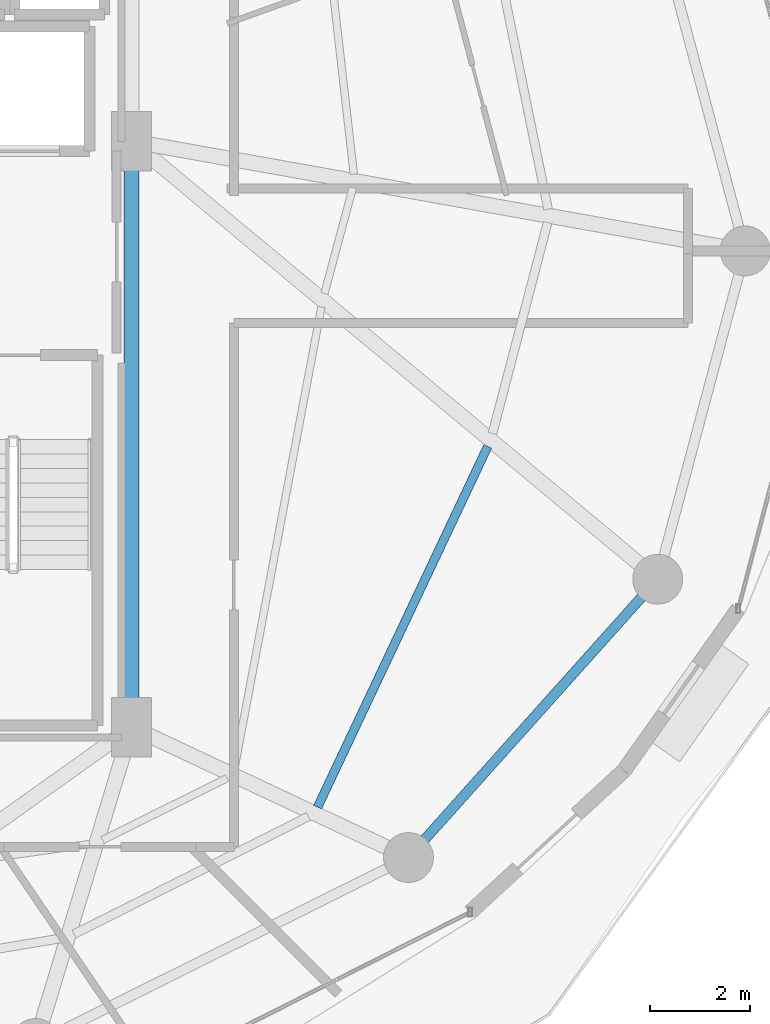
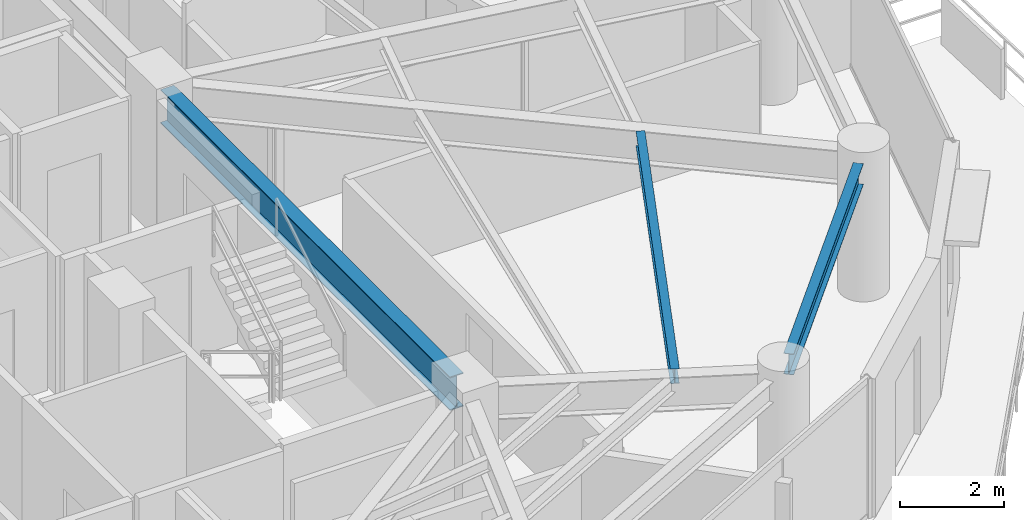
# One storey, part 13 of 31: 3 beams.
"""IFC4 building model written with IfcOpenShell, lengths in metres."""

from ifc_helpers import new_model, si_unit, direction, frame, origin, origin_2d, place, context, subcontext, project, spatial, i_section, extrude, material, material_profile, profile_set, type_object, element, save


model = new_model("IFC4")

# Units and contexts
model_context = context("Model", 3, precision=1e-05, world=origin(), true_north=direction((0.0, 1.0)))
body_context = subcontext(model_context, "Body", "Model", "MODEL_VIEW")
ifc_project = project(units=[si_unit("LENGTHUNIT", "METRE"), si_unit("AREAUNIT", "SQUARE_METRE"), si_unit("VOLUMEUNIT", "CUBIC_METRE"), si_unit("PLANEANGLEUNIT", "RADIAN"), si_unit("MASSUNIT", "GRAM", prefix="KILO")], contexts=[model_context])

# Site, building, storey
site_placement = place(None, origin())
site = spatial("IfcSite", under=ifc_project, at=site_placement, CompositionType="ELEMENT")
building_placement = place(site_placement, origin())
building = spatial("IfcBuilding", under=site, at=building_placement, Name="Vorneva Point Tower", CompositionType="ELEMENT")
storey_placement = place(building_placement, frame((0.0, 0.0, 129.10009765625)))
storey = spatial("IfcBuildingStorey", under=building, at=storey_placement, Name="L34", CompositionType="ELEMENT", Elevation=129.10009765625)

# Beams
ifc_material = material(Name="Steel S355", Category="steel")
ifc_material_profile_1 = material_profile(ifc_material, i_section(OverallWidth=0.300048828125, OverallDepth=0.7880859375, WebThickness=0.014404296875, FlangeThickness=0.02197265625, at=origin_2d()), Name="80Sh1")
ifc_profile_set_1 = profile_set([ifc_material_profile_1], Name="Steel S355")
beam_type_1 = type_object("IfcBeamType", Name="BM-GRD-80Sh1", PredefinedType="USERDEFINED", material=ifc_profile_set_1)
beam_1_placement = place(storey_placement, frame((48.75, 16.77001953125, 2.845947265625), z_axis=(0.0, 1.0, 0.0), x_axis=(-1.0, 0.0, 0.0)))
element("IfcBeam", 1, at=beam_1_placement, inside=storey, type_object=beam_type_1, Name="L34 Core Tie Girder CT3", ObjectType="GIRDER", PredefinedType="USERDEFINED", context=body_context, shape_type="SweptSolid", body=[
    extrude(i_section(OverallWidth=0.300048828125, OverallDepth=0.7880859375, WebThickness=0.014404296875, FlangeThickness=0.02197265625, at=origin_2d()), origin(), (0.0, 0.0, 1.0), 11.10986328125),
])
ifc_material_profile_2 = material_profile(ifc_material, i_section(OverallWidth=0.174072265625, OverallDepth=0.345947265625, WebThickness=0.006103515625, FlangeThickness=0.009033203125, at=origin_2d()), Name="35B1")
ifc_profile_set_2 = profile_set([ifc_material_profile_2], Name="Steel S355")
beam_type_2 = type_object("IfcBeamType", Name="BM-SEC-35B1", PredefinedType="BEAM", material=ifc_profile_set_2)
beam_2_placement = place(storey_placement, frame((52.476318359375, 14.848388671875, 3.06689453125), z_axis=(0.426717146128, 0.904385137649, 0.0), x_axis=(-0.904385137649, 0.426717146128, 0.0)))
element("IfcBeam", 2, at=beam_2_placement, inside=storey, type_object=beam_type_2, Name="L34 Secondary Floor Beam 1.15", PredefinedType="BEAM", context=body_context, shape_type="SweptSolid", body=[
    extrude(i_section(OverallWidth=0.174072265625, OverallDepth=0.345947265625, WebThickness=0.006103515625, FlangeThickness=0.009033203125, at=origin_2d()), origin(), (0.0, 0.0, 1.0), 7.997314453125),
])
ifc_material_profile_3 = material_profile(ifc_material, i_section(OverallWidth=0.199951171875, OverallDepth=0.491943359375, WebThickness=0.0087890625, FlangeThickness=0.011962890625, at=origin_2d()), Name="50B1")
ifc_profile_set_3 = profile_set([ifc_material_profile_3], Name="Steel S355")
beam_type_3 = type_object("IfcBeamType", Name="BM-SPN-50B1", PredefinedType="SPANDREL", material=ifc_profile_set_3)
beam_3_placement = place(storey_placement, frame((54.622314453125, 14.19921875, 2.993896484375), z_axis=(0.667111118975, 0.74495822362, 0.0), x_axis=(-0.74495822362, 0.667111118975, 0.0)))
element("IfcBeam", 3, at=beam_3_placement, inside=storey, type_object=beam_type_3, Name="L34 Perimeter Spandrel Ring Beam 15", PredefinedType="SPANDREL", context=body_context, shape_type="SweptSolid", body=[
    extrude(i_section(OverallWidth=0.199951171875, OverallDepth=0.491943359375, WebThickness=0.0087890625, FlangeThickness=0.011962890625, at=origin_2d()), origin(), (0.0, 0.0, 1.0), 6.52001953125),
])

save(model, "model.ifc")
